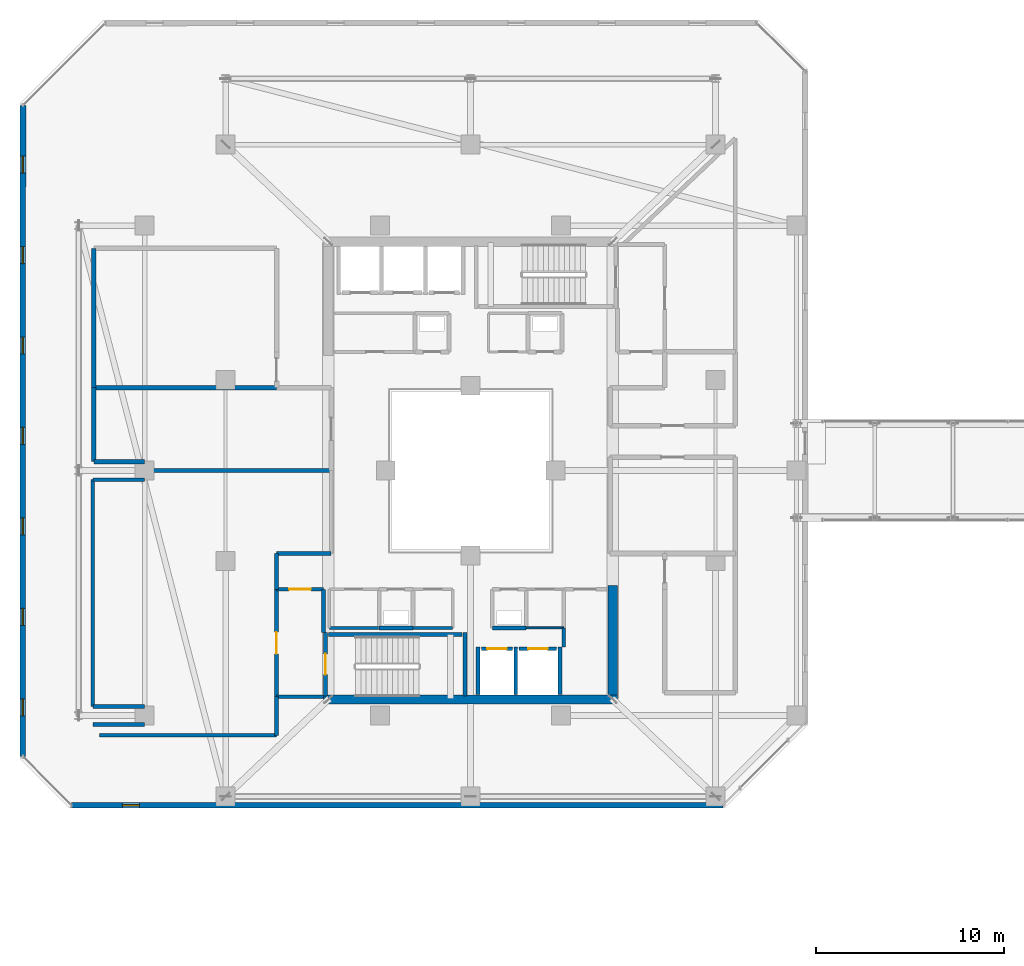
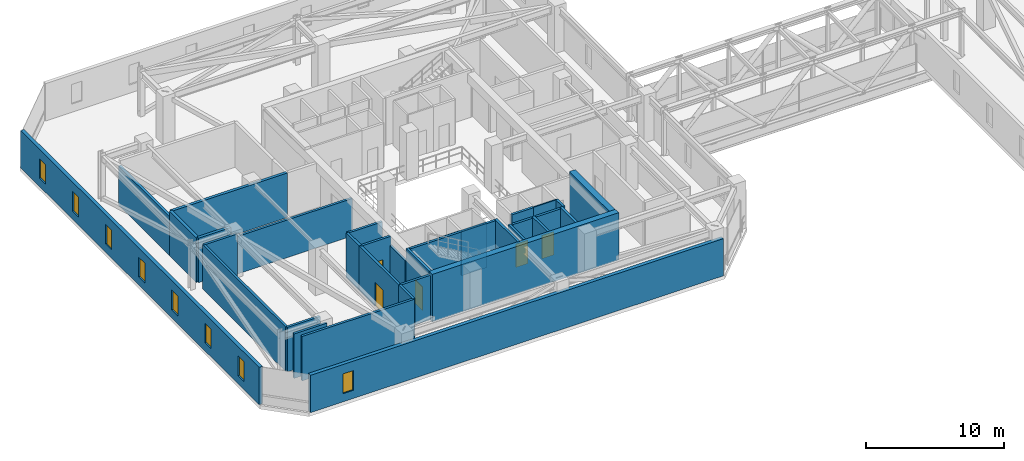
# One storey, part 33 of 42: 35 walls, 8 windows, 5 doors, 13 openings.
"""IFC4 building model written with IfcOpenShell, lengths in metres."""

import ifcopenshell
import ifcopenshell.guid

model = None  # the IFC model being written
_history = None  # IfcOwnerHistory: only IFC2X3 demands one
_inside = {}  # id of a spatial element -> (the spatial element, [elements in it])
_under = {}  # id of a project, library or spatial element -> (it, [spatial elements below it])
_declared = {}  # id of a project -> (the project, [libraries it declares])
_typed = {}  # id of a type object -> (the type object, [elements of that type])
_made_of = {}  # id of a material, layer set ... -> (it, [elements and type objects made of it])


def new_model(schema):
    """Start an empty IFC model of exactly this schema.

    Asked for "IFC4X3", IfcOpenShell would pick the latest addendum, in which some entities
    have other attributes; the version numbers below select the first issue.
    IFC2X3 requires an IfcOwnerHistory on every rooted entity: one is made here for all.
    """
    global model, _history
    if schema == "IFC4X3":
        model = ifcopenshell.file(schema_version=(4, 3, 0, 0))
    else:
        model = ifcopenshell.file(schema=schema)
    _inside.clear()
    _under.clear()
    _declared.clear()
    _typed.clear()
    _made_of.clear()
    _history = None
    if model.schema == "IFC2X3":
        org = make("IfcOrganization", Name="unknown")
        user = make(
            "IfcPersonAndOrganization",
            ThePerson=make("IfcPerson", FamilyName="unknown"),
            TheOrganization=org,
        )
        app = make(
            "IfcApplication",
            ApplicationDeveloper=org,
            Version="unknown",
            ApplicationFullName="unknown",
            ApplicationIdentifier="unknown",
        )
        _history = make(
            "IfcOwnerHistory",
            OwningUser=user,
            OwningApplication=app,
            ChangeAction="ADDED",
            CreationDate=0,
        )
    return model


def make(cls, **values):
    """One entity of the class cls with the attributes given. An attribute that is None is left unset."""
    return model.create_entity(
        cls, **{name: value for name, value in values.items() if value is not None}
    )


def rooted(cls, **values):
    """An entity with a GlobalId (a new one), such as an element, a storey or a relation."""
    return make(cls, GlobalId=ifcopenshell.guid.new(), OwnerHistory=_history, **values)


def si_unit(unit_type, name, prefix=None):
    """IfcSIUnit, for example si_unit("LENGTHUNIT", "METRE", prefix="MILLI")."""
    return make("IfcSIUnit", UnitType=unit_type, Prefix=prefix, Name=name)


def assignment(units):
    """IfcUnitAssignment: the units of a project."""
    return None if units is None else make("IfcUnitAssignment", Units=units)


def point(xyz):
    """IfcCartesianPoint."""
    return None if xyz is None else make("IfcCartesianPoint", Coordinates=xyz)


def direction(xyz):
    """IfcDirection."""
    return None if xyz is None else make("IfcDirection", DirectionRatios=xyz)


def frame(location, z_axis=None, x_axis=None):
    """IfcAxis2Placement3D, a coordinate frame: its origin and axes. An axis left out is left unset."""
    return make(
        "IfcAxis2Placement3D",
        Location=point(location),
        Axis=direction(z_axis),
        RefDirection=direction(x_axis),
    )


def frame_2d(location, x_axis=None):
    """IfcAxis2Placement2D, a coordinate frame in the plane: its origin and x axis."""
    return make(
        "IfcAxis2Placement2D", Location=point(location), RefDirection=direction(x_axis)
    )


def origin():
    """The frame at (0, 0, 0) with its axes left unset."""
    return frame((0.0, 0.0, 0.0))


def place(relative_to, where):
    """IfcLocalPlacement: puts the frame where relative to a parent placement (None: the world)."""
    return make(
        "IfcLocalPlacement", PlacementRelTo=relative_to, RelativePlacement=where
    )


def context(
    kind, dimensions, precision=None, world=None, true_north=None, identifier=None
):
    """IfcGeometricRepresentationContext, for example the 3D "Model" context."""
    return make(
        "IfcGeometricRepresentationContext",
        ContextIdentifier=identifier,
        ContextType=kind,
        CoordinateSpaceDimension=dimensions,
        Precision=precision,
        WorldCoordinateSystem=world,
        TrueNorth=true_north,
    )


def subcontext(parent, identifier, kind, view, scale=None):
    """IfcGeometricRepresentationSubContext, for example "Body" below "Model"."""
    return make(
        "IfcGeometricRepresentationSubContext",
        ContextIdentifier=identifier,
        ContextType=kind,
        ParentContext=parent,
        TargetScale=scale,
        TargetView=view,
    )


def project(units=None, contexts=None):
    """IfcProject with its units and contexts."""
    return rooted(
        "IfcProject",
        Name="project",
        RepresentationContexts=contexts,
        UnitsInContext=assignment(units),
    )


def spatial(cls, under=None, at=None, **own):
    """A site, building, storey or space (cls), placed at a placement, below another one or the project."""
    s = rooted(cls, ObjectPlacement=at, **own)
    if under is not None:
        _under.setdefault(under.id(), (under, []))[1].append(s)
    return s


def profile(cls, at=None, kind="AREA", **sizes):
    """A parametric profile (cls). Its sizes go by their IFC names, for example OverallWidth=200.0."""
    return make(cls, ProfileType=kind, Position=at, **sizes)


def rectangle(**sizes):
    """IfcRectangleProfileDef."""
    return profile("IfcRectangleProfileDef", **sizes)


def extrude(swept, where, along, depth):
    """IfcExtrudedAreaSolid: the profile swept, set in the frame where, extruded along a direction by depth."""
    return make(
        "IfcExtrudedAreaSolid",
        SweptArea=swept,
        Position=where,
        ExtrudedDirection=direction(along),
        Depth=depth,
    )


def shape(context_of_items, identifier, shape_type, items):
    """IfcShapeRepresentation: the items that make up one representation, for example the "Body"."""
    return make(
        "IfcShapeRepresentation",
        ContextOfItems=context_of_items,
        RepresentationIdentifier=identifier,
        RepresentationType=shape_type,
        Items=items,
    )


def material(Name=None, Category=None):
    """IfcMaterial."""
    return make("IfcMaterial", Name=Name, Category=Category)


def layer(
    of_material, thickness, ventilated=None, Name=None, Category=None, Priority=None
):
    """IfcMaterialLayer: one layer of a wall or slab, of a material (None: an air gap)."""
    return make(
        "IfcMaterialLayer",
        Material=of_material,
        LayerThickness=thickness,
        IsVentilated=ventilated,
        Name=Name,
        Category=Category,
        Priority=Priority,
    )


def layer_set(layers, Name=None):
    """IfcMaterialLayerSet."""
    return make("IfcMaterialLayerSet", MaterialLayers=layers, LayerSetName=Name)


def made_of(thing, what):
    """Note that an element or type object is made of a material, layer set ...; save() writes the relation."""
    if what is not None:
        _made_of.setdefault(what.id(), (what, []))[1].append(thing)
    return thing


def type_object(cls, material=None, **own):
    """A type object (cls), such as IfcWallType, which elements share."""
    return made_of(rooted(cls, **own), material)


def element(
    cls,
    number,
    at=None,
    inside=None,
    cuts=None,
    type_object=None,
    material=None,
    context=None,
    identifier="Body",
    shape_type=None,
    held_by="IfcProductDefinitionShape",
    body=None,
    shapes=None,
    **own,
):
    """One element of the class cls, such as IfcWall. Its Tag is "e" and its number.

    at: its placement. inside: the storey or other place that contains it. cuts: it is an
    opening in that element (IfcRelVoidsElement). A single representation is given by context,
    identifier, shape_type and body (its items); several are given by shapes. held_by: the class
    of the entity that holds the representations. save() writes the other relations.
    """
    e = rooted(cls, Tag="e%d" % number, ObjectPlacement=at, **own)
    if body is not None:
        shapes = [shape(context, identifier, shape_type, body)]
    if shapes is not None:
        e.Representation = make(held_by, Representations=shapes)
    if inside is not None:
        _inside.setdefault(inside.id(), (inside, []))[1].append(e)
    if cuts is not None:
        rooted(
            "IfcRelVoidsElement", RelatingBuildingElement=cuts, RelatedOpeningElement=e
        )
    if type_object is not None:
        _typed.setdefault(type_object.id(), (type_object, []))[1].append(e)
    return made_of(e, material)


def fill(opening, filler):
    """IfcRelFillsElement: the door or window that sits in an opening."""
    return rooted(
        "IfcRelFillsElement",
        RelatingOpeningElement=opening,
        RelatedBuildingElement=filler,
    )


def aggregate(whole, parts):
    """IfcRelAggregates: a whole, such as a stair, and the parts it consists of."""
    return rooted("IfcRelAggregates", RelatingObject=whole, RelatedObjects=parts)


def save(model, path):
    """Write the relations noted so far, then the file.

    IfcRelAggregates (storeys below a building ...), IfcRelContainedInSpatialStructure (elements
    in a storey), IfcRelDefinesByType, IfcRelAssociatesMaterial and IfcRelDeclares: one each for
    every whole, place, type object, material and project.
    """
    for whole, parts in _under.values():
        aggregate(whole, parts)
    for where, things in _inside.values():
        rooted(
            "IfcRelContainedInSpatialStructure",
            RelatedElements=things,
            RelatingStructure=where,
        )
    for kind, things in _typed.values():
        rooted("IfcRelDefinesByType", RelatedObjects=things, RelatingType=kind)
    for what, things in _made_of.values():
        rooted("IfcRelAssociatesMaterial", RelatedObjects=things, RelatingMaterial=what)
    for by, libraries in _declared.values():
        rooted("IfcRelDeclares", RelatingContext=by, RelatedDefinitions=libraries)
    model.write(path)


model = new_model("IFC4")

# Units and contexts
model_context = context("Model", 3, precision=1e-05, world=origin(), true_north=direction((0.0, 1.0)))
body_context = subcontext(model_context, "Body", "Model", "MODEL_VIEW")
ifc_project = project(units=[si_unit("LENGTHUNIT", "METRE"), si_unit("AREAUNIT", "SQUARE_METRE"), si_unit("VOLUMEUNIT", "CUBIC_METRE"), si_unit("PLANEANGLEUNIT", "RADIAN"), si_unit("MASSUNIT", "GRAM", prefix="KILO")], contexts=[model_context])

# Site, building, storey
site_placement = place(None, origin())
site = spatial("IfcSite", under=ifc_project, at=site_placement, CompositionType="ELEMENT")
building_placement = place(site_placement, origin())
building = spatial("IfcBuilding", under=site, at=building_placement, Name="Thornwick Lancets Civic Towers", CompositionType="ELEMENT")
storey_placement = place(building_placement, frame((0.0, 0.0, 221.699951171875)))
storey = spatial("IfcBuildingStorey", under=building, at=storey_placement, Name="L59", CompositionType="ELEMENT", Elevation=221.699951171875)

# Wall, opening, door
ifc_material_1 = material(Name="Concrete blockwork C40/50", Category="masonry")
ifc_layer_1 = layer(ifc_material_1, 0.199951171875, Name="Concrete blockwork C40/50")
ifc_layer_set_1 = layer_set([ifc_layer_1], Name="Concrete blockwork C40/50")
wall_type_1 = type_object("IfcWallType", Name="WALL_COMP_200", PredefinedType="STANDARD", material=ifc_layer_set_1)
wall_1_placement = place(storey_placement, frame((26.080078125, 17.550048828125, 0.0), z_axis=(0.0, 0.0, 1.0), x_axis=(1.0, 0.0, 0.0)))
wall_1 = element("IfcWall", 1, at=wall_1_placement, inside=storey, type_object=wall_type_1, Name="L59 Hoistway Front Wall FL-A1", PredefinedType="STANDARD", context=body_context, shape_type="SweptSolid", body=[
    extrude(rectangle(XDim=1.639892578125, YDim=0.199951171875, at=frame_2d((0.81982421875, 0.0))), origin(), (0.0, 0.0, 1.0), 3.93994140625),
])
opening_1_placement = place(wall_1_placement, frame((0.31005859375, 0.0, 0.0)))
opening_1 = element("IfcOpeningElement", 2, at=opening_1_placement, cuts=wall_1, Name="Opening LD-FL-A1", PredefinedType="OPENING", context=body_context, shape_type="SweptSolid", body=[
    extrude(rectangle(XDim=1.02001953125, YDim=2.06005859375, at=frame_2d((0.510009765625, 1.030029296875))), frame((0.0, 0.10986328125, 0.0), z_axis=(0.0, -1.0, 0.0), x_axis=(1.0, 0.0, 0.0)), (0.0, 0.0, 1.0), 0.219970703125),
])
ifc_material_2 = material(Name="Brushed bronze stainless steel", Category="steel")
door_type_1 = type_object("IfcDoorType", Name="DOOR_LIFT_SLIDE", OperationType="SLIDING_TO_LEFT", PredefinedType="DOOR", material=ifc_material_2)
door_1_placement = place(opening_1_placement, origin())
door_1 = element("IfcDoor", 3, at=door_1_placement, inside=storey, type_object=door_type_1, Name="L59 Sliding Lift Landing Door LD-FL-A1", OperationType="SLIDING_TO_LEFT", OverallHeight=2.06005859375, OverallWidth=1.02001953125, PredefinedType="DOOR", context=body_context, shape_type="SweptSolid", body=[
    extrude(rectangle(XDim=1.02001953125, YDim=2.06005859375, at=frame_2d((0.510009765625, 1.030029296875))), frame((0.0, 0.02490234375, 0.0), z_axis=(0.0, -1.0, 0.0), x_axis=(1.0, 0.0, 0.0)), (0.0, 0.0, 1.0), 0.050048828125),
])
fill(opening_1, door_1)

wall_2_placement = place(storey_placement, frame((28.080078125, 17.550048828125, 0.0), z_axis=(0.0, 0.0, 1.0), x_axis=(1.0, 0.0, 0.0)))
wall_2 = element("IfcWall", 4, at=wall_2_placement, inside=storey, type_object=wall_type_1, Name="L59 Hoistway Front Wall PL-AH1", PredefinedType="STANDARD", context=body_context, shape_type="SweptSolid", body=[
    extrude(rectangle(XDim=1.989990234375, YDim=0.199951171875, at=frame_2d((0.9951171875, 0.0))), origin(), (0.0, 0.0, 1.0), 3.93994140625),
])
opening_2_placement = place(wall_2_placement, frame((0.485107421875, 0.0, 0.0)))
opening_2 = element("IfcOpeningElement", 5, at=opening_2_placement, cuts=wall_2, Name="Opening LD-PL-AH1", PredefinedType="OPENING", context=body_context, shape_type="SweptSolid", body=[
    extrude(rectangle(XDim=1.02001953125, YDim=2.06005859375, at=frame_2d((0.510009765625, 1.030029296875))), frame((0.0, 0.10986328125, 0.0), z_axis=(0.0, -1.0, 0.0), x_axis=(1.0, 0.0, 0.0)), (0.0, 0.0, 1.0), 0.219970703125),
])
door_2_placement = place(opening_2_placement, origin())
door_2 = element("IfcDoor", 6, at=door_2_placement, inside=storey, type_object=door_type_1, Name="L59 Sliding Lift Landing Door LD-PL-AH1", OperationType="SLIDING_TO_LEFT", OverallHeight=2.06005859375, OverallWidth=1.02001953125, PredefinedType="DOOR", context=body_context, shape_type="SweptSolid", body=[
    extrude(rectangle(XDim=1.02001953125, YDim=2.06005859375, at=frame_2d((0.510009765625, 1.030029296875))), frame((0.0, 0.02490234375, 0.0), z_axis=(0.0, -1.0, 0.0), x_axis=(1.0, 0.0, 0.0)), (0.0, 0.0, 1.0), 0.050048828125),
])
fill(opening_2, door_2)

# Walls
for number, where, z_axis, x_axis, name in (
    (7, (27.89990234375, 15.112060546875, 0.0), (0.0, 0.0, 1.0), (0.0, 1.0, 0.0), "L59 Hoistway Shaft Wall FL-A1 E"),
    (8, (25.89990234375, 15.112060546875, 0.0), (0.0, 0.0, 1.0), (0.0, 1.0, 0.0), "L59 Hoistway Shaft Wall FL-A1 W"),
    (9, (30.25, 15.112060546875, 0.0), (0.0, 0.0, 1.0), (0.0, 1.0, 0.0), "L59 Hoistway Shaft Wall PL-AH1 E"),
):
    element("IfcWall", number, at=place(storey_placement, frame(where, z_axis=z_axis, x_axis=x_axis)), inside=storey, type_object=wall_type_1, Name=name, PredefinedType="STANDARD", context=body_context, shape_type="SweptSolid", body=[
        extrude(rectangle(XDim=2.535888671875, YDim=0.199951171875, at=frame_2d((1.26806640625, 0.0))), origin(), (0.0, 0.0, 1.0), 3.93994140625),
    ])
wall_3_placement = place(storey_placement, frame((15.199951171875, 15.0, 0.0), z_axis=(0.0, 0.0, 1.0), x_axis=(1.0, 0.0, 0.0)))
element("IfcWall", 10, at=wall_3_placement, inside=storey, type_object=wall_type_1, Name="L59 Partition L59-A-FFLOB1 E1", PredefinedType="STANDARD", context=body_context, shape_type="SweptSolid", body=[
    extrude(rectangle(XDim=2.5, YDim=0.199951171875, at=frame_2d((1.25, 0.0))), origin(), (0.0, 0.0, 1.0), 3.93994140625),
])
wall_4_placement = place(storey_placement, frame((17.699951171875, 18.39990234375, 0.0), z_axis=(0.0, 0.0, 1.0), x_axis=(0.0, 1.0, 0.0)))
element("IfcWall", 11, at=wall_4_placement, inside=storey, type_object=wall_type_1, Name="L59 Partition L59-A-FFLOB1 E2", PredefinedType="STANDARD", context=body_context, shape_type="SweptSolid", body=[
    extrude(rectangle(XDim=2.300048828125, YDim=0.199951171875, at=frame_2d((1.14990234375, 0.0))), origin(), (0.0, 0.0, 1.0), 3.14501953125),
])

# Wall, opening, door
wall_5_placement = place(storey_placement, frame((17.699951171875, 20.699951171875, 0.0), z_axis=(0.0, 0.0, 1.0), x_axis=(-1.0, 0.0, 0.0)))
wall_5 = element("IfcWall", 12, at=wall_5_placement, inside=storey, type_object=wall_type_1, Name="L59 Partition L59-A-FFLOB1 E3", PredefinedType="STANDARD", context=body_context, shape_type="SweptSolid", body=[
    extrude(rectangle(XDim=2.5, YDim=0.199951171875, at=frame_2d((1.25, 0.0))), origin(), (0.0, 0.0, 1.0), 3.93994140625),
])
opening_3_placement = place(wall_5_placement, frame((0.675048828125, 0.0, 0.0)))
opening_3 = element("IfcOpeningElement", 13, at=opening_3_placement, cuts=wall_5, Name="Opening D-L59-2639", PredefinedType="OPENING", context=body_context, shape_type="SweptSolid", body=[
    extrude(rectangle(XDim=1.14990234375, YDim=2.10009765625, at=frame_2d((0.574951171875, 1.050048828125))), frame((0.0, 0.10986328125, 0.0), z_axis=(0.0, -1.0, 0.0), x_axis=(1.0, 0.0, 0.0)), (0.0, 0.0, 1.0), 0.219970703125),
])
ifc_material_3 = material(Name="Glazed fire-resisting steel", Category="steel")
door_type_2 = type_object("IfcDoorType", Name="DOOR_LOBBY_FD60", OperationType="NOTDEFINED", PredefinedType="DOOR", material=ifc_material_3)
door_3_placement = place(opening_3_placement, origin())
door_3 = element("IfcDoor", 14, at=door_3_placement, inside=storey, type_object=door_type_2, Name="L59 South Firefighting Lobby 1 Door", OperationType="SINGLE_SWING_RIGHT", OverallHeight=2.10009765625, OverallWidth=1.14990234375, PredefinedType="DOOR", context=body_context, shape_type="SweptSolid", body=[
    extrude(rectangle(XDim=1.14990234375, YDim=2.10009765625, at=frame_2d((0.574951171875, 1.050048828125))), frame((0.0, 0.02490234375, 0.0), z_axis=(0.0, -1.0, 0.0), x_axis=(1.0, 0.0, 0.0)), (0.0, 0.0, 1.0), 0.050048828125),
])
fill(opening_3, door_3)

wall_6_placement = place(storey_placement, frame((15.199951171875, 20.699951171875, 0.0), z_axis=(0.0, 0.0, 1.0), x_axis=(0.0, -1.0, 0.0)))
wall_6 = element("IfcWall", 15, at=wall_6_placement, inside=storey, type_object=wall_type_1, Name="L59 Partition L59-A-FFLOB1 E4", PredefinedType="STANDARD", context=body_context, shape_type="SweptSolid", body=[
    extrude(rectangle(XDim=5.699951171875, YDim=0.199951171875, at=frame_2d((2.85009765625, 0.0))), origin(), (0.0, 0.0, 1.0), 3.93994140625),
])
opening_4_placement = place(wall_6_placement, frame((2.27490234375, 0.0, 0.0)))
opening_4 = element("IfcOpeningElement", 16, at=opening_4_placement, cuts=wall_6, Name="Opening D-L59-2665", PredefinedType="OPENING", context=body_context, shape_type="SweptSolid", body=[
    extrude(rectangle(XDim=1.14990234375, YDim=2.10009765625, at=frame_2d((0.574951171875, 1.050048828125))), frame((0.0, 0.10986328125, 0.0), z_axis=(0.0, -1.0, 0.0), x_axis=(1.0, 0.0, 0.0)), (0.0, 0.0, 1.0), 0.219970703125),
])
door_4_placement = place(opening_4_placement, origin())
door_4 = element("IfcDoor", 17, at=door_4_placement, inside=storey, type_object=door_type_2, Name="L59 Tower A Refuge Holding Area 1 Door", OperationType="SINGLE_SWING_RIGHT", OverallHeight=2.10009765625, OverallWidth=1.14990234375, PredefinedType="DOOR", context=body_context, shape_type="SweptSolid", body=[
    extrude(rectangle(XDim=1.14990234375, YDim=2.10009765625, at=frame_2d((0.574951171875, 1.050048828125))), frame((0.0, 0.02490234375, 0.0), z_axis=(0.0, -1.0, 0.0), x_axis=(1.0, 0.0, 0.0)), (0.0, 0.0, 1.0), 0.050048828125),
])
fill(opening_4, door_4)

# Walls
for number, where, z_axis, x_axis, name in (
    (18, (26.64990234375, 18.64990234375, 0.0), (0.0, 0.0, 1.0), (1.0, 0.0, 0.0), "L59 Partition L59-A-DUCT1 E1"),
    (19, (20.64990234375, 18.64990234375, 0.0), (0.0, 0.0, 1.0), (1.0, 0.0, 0.0), "L59 Partition L59-A-RISER1 E1"),
):
    element("IfcWall", number, at=place(storey_placement, frame(where, z_axis=z_axis, x_axis=x_axis)), inside=storey, type_object=wall_type_1, Name=name, PredefinedType="STANDARD", context=body_context, shape_type="SweptSolid", body=[
        extrude(rectangle(XDim=1.800048828125, YDim=0.199951171875, at=frame_2d((0.89990234375, 0.0))), origin(), (0.0, 0.0, 1.0), 3.93994140625),
    ])
wall_7_placement = place(storey_placement, frame((30.449951171875, 17.64794921875, 0.0), z_axis=(0.0, 0.0, 1.0), x_axis=(0.0, 1.0, 0.0)))
element("IfcWall", 20, at=wall_7_placement, inside=storey, type_object=wall_type_1, Name="L59 Partition L59-A-ITR2 E3", PredefinedType="STANDARD", context=body_context, shape_type="SweptSolid", body=[
    extrude(rectangle(XDim=1.001953125, YDim=0.199951171875, at=frame_2d((0.5009765625, 0.0))), origin(), (0.0, 0.0, 1.0), 3.93994140625),
])
wall_8_placement = place(storey_placement, frame((18.10009765625, 22.60009765625, 0.0), z_axis=(0.0, 0.0, 1.0), x_axis=(-1.0, 0.0, 0.0)))
element("IfcWall", 21, at=wall_8_placement, inside=storey, type_object=wall_type_1, Name="L59 Partition L59-A-REF1 E1", PredefinedType="STANDARD", context=body_context, shape_type="SweptSolid", body=[
    extrude(rectangle(XDim=2.900146484375, YDim=0.199951171875, at=frame_2d((1.4501953125, 0.0))), origin(), (0.0, 0.0, 1.0), 3.93994140625),
])
wall_9_placement = place(storey_placement, frame((15.199951171875, 22.60009765625, 0.0), z_axis=(0.0, 0.0, 1.0), x_axis=(0.0, -1.0, 0.0)))
element("IfcWall", 22, at=wall_9_placement, inside=storey, type_object=wall_type_1, Name="L59 Partition L59-A-REF1 E2", PredefinedType="STANDARD", context=body_context, shape_type="SweptSolid", body=[
    extrude(rectangle(XDim=1.900146484375, YDim=0.199951171875, at=frame_2d((0.9501953125, 0.0))), origin(), (0.0, 0.0, 1.0), 3.93994140625),
])
wall_10_placement = place(storey_placement, frame((15.199951171875, 15.0, 0.0), z_axis=(0.0, 0.0, 1.0), x_axis=(0.0, -1.0, 0.0)))
element("IfcWall", 23, at=wall_10_placement, inside=storey, type_object=wall_type_1, Name="L59 Partition L59-A-REF1 E4", PredefinedType="STANDARD", context=body_context, shape_type="SweptSolid", body=[
    extrude(rectangle(XDim=2.050048828125, YDim=0.199951171875, at=frame_2d((1.02490234375, 0.0))), origin(), (0.0, 0.0, 1.0), 3.93994140625),
])
wall_11_placement = place(storey_placement, frame((15.199951171875, 12.949951171875, 0.0), z_axis=(0.0, 0.0, 1.0), x_axis=(-1.0, 0.0, 0.0)))
element("IfcWall", 24, at=wall_11_placement, inside=storey, type_object=wall_type_1, Name="L59 Partition L59-A-REF1 E5", PredefinedType="STANDARD", context=body_context, shape_type="SweptSolid", body=[
    extrude(rectangle(XDim=9.4052734375, YDim=0.199951171875, at=frame_2d((4.70263671875, 0.0))), origin(), (0.0, 0.0, 1.0), 3.93994140625),
])
for number, where, z_axis, x_axis, name in (
    (25, (5.449951171875, 13.52001953125, 0.0), (0.0, 0.0, 1.0), (1.0, 0.0, 0.0), "L59 Partition L59-A-REF1 E8"),
    (26, (8.199951171875, 14.47998046875, 0.0), (0.0, 0.0, 1.0), (-1.0, 0.0, 0.0), "L59 Partition L59-A-REF1 E10"),
):
    element("IfcWall", number, at=place(storey_placement, frame(where, z_axis=z_axis, x_axis=x_axis)), inside=storey, type_object=wall_type_1, Name=name, PredefinedType="STANDARD", context=body_context, shape_type="SweptSolid", body=[
        extrude(rectangle(XDim=2.75, YDim=0.199951171875, at=frame_2d((1.375, 0.0))), origin(), (0.0, 0.0, 1.0), 3.93994140625),
    ])
wall_12_placement = place(storey_placement, frame((5.449951171875, 14.47998046875, 0.0), z_axis=(0.0, 0.0, 1.0), x_axis=(0.0, 1.0, 0.0)))
element("IfcWall", 27, at=wall_12_placement, inside=storey, type_object=wall_type_1, Name="L59 Partition L59-A-REF1 E11", PredefinedType="STANDARD", context=body_context, shape_type="SweptSolid", body=[
    extrude(rectangle(XDim=12.0400390625, YDim=0.199951171875, at=frame_2d((6.02001953125, 0.0))), origin(), (0.0, 0.0, 1.0), 3.93994140625),
])
wall_13_placement = place(storey_placement, frame((5.449951171875, 26.52001953125, 0.0), z_axis=(0.0, 0.0, 1.0), x_axis=(1.0, 0.0, 0.0)))
element("IfcWall", 28, at=wall_13_placement, inside=storey, type_object=wall_type_1, Name="L59 Partition L59-A-REF1 E12", PredefinedType="STANDARD", context=body_context, shape_type="SweptSolid", body=[
    extrude(rectangle(XDim=2.75, YDim=0.199951171875, at=frame_2d((1.375, 0.0))), origin(), (0.0, 0.0, 1.0), 3.93994140625),
])
wall_14_placement = place(storey_placement, frame((8.199951171875, 27.0, 0.0), z_axis=(0.0, 0.0, 1.0), x_axis=(1.0, 0.0, 0.0)))
element("IfcWall", 29, at=wall_14_placement, inside=storey, type_object=wall_type_1, Name="L59 Partition L59-A-REF1 E14", PredefinedType="STANDARD", context=body_context, shape_type="SweptSolid", body=[
    extrude(rectangle(XDim=9.900146484375, YDim=0.199951171875, at=frame_2d((4.9501953125, 0.0))), origin(), (0.0, 0.0, 1.0), 3.324951171875),
])
ifc_layer_2 = layer(ifc_material_1, 0.239990234375, Name="Concrete blockwork C40/50")
ifc_layer_set_2 = layer_set([ifc_layer_2], Name="Concrete blockwork C40/50")
wall_type_2 = type_object("IfcWallType", Name="WALL_COMP_240", PredefinedType="STANDARD", material=ifc_layer_set_2)
wall_15_placement = place(storey_placement, frame((8.199951171875, 27.47998046875, 0.0), z_axis=(0.0, 0.0, 1.0), x_axis=(-1.0, 0.0, 0.0)))
element("IfcWall", 30, at=wall_15_placement, inside=storey, type_object=wall_type_2, Name="L59 Partition L59-A-PL-AHU E5", PredefinedType="STANDARD", context=body_context, shape_type="SweptSolid", body=[
    extrude(rectangle(XDim=2.699951171875, YDim=0.239990234375, at=frame_2d((1.35009765625, 0.0))), origin(), (0.0, 0.0, 1.0), 3.93994140625),
])
wall_16_placement = place(storey_placement, frame((5.5, 27.47998046875, 0.0), z_axis=(0.0, 0.0, 1.0), x_axis=(0.0, 1.0, 0.0)))
element("IfcWall", 31, at=wall_16_placement, inside=storey, type_object=wall_type_2, Name="L59 Partition L59-A-PL-AHU E6", PredefinedType="STANDARD", context=body_context, shape_type="SweptSolid", body=[
    extrude(rectangle(XDim=3.919921875, YDim=0.239990234375, at=frame_2d((1.9599609375, 0.0))), origin(), (0.0, 0.0, 1.0), 3.93994140625),
])
wall_17_placement = place(storey_placement, frame((5.5, 31.39990234375, 0.0), z_axis=(0.0, 0.0, 1.0), x_axis=(1.0, 0.0, 0.0)))
element("IfcWall", 32, at=wall_17_placement, inside=storey, type_object=wall_type_2, Name="L59 Partition L59-A-PL-AHU E7", PredefinedType="STANDARD", context=body_context, shape_type="SweptSolid", body=[
    extrude(rectangle(XDim=9.699951171875, YDim=0.239990234375, at=frame_2d((4.85009765625, 0.0))), origin(), (0.0, 0.0, 1.0), 3.93994140625),
])
wall_18_placement = place(storey_placement, frame((5.5, 31.39990234375, 0.0), z_axis=(0.0, 0.0, 1.0), x_axis=(0.0, 1.0, 0.0)))
element("IfcWall", 33, at=wall_18_placement, inside=storey, type_object=wall_type_2, Name="L59 Partition L59-A-PL-ELC E5", PredefinedType="STANDARD", context=body_context, shape_type="SweptSolid", body=[
    extrude(rectangle(XDim=7.400146484375, YDim=0.239990234375, at=frame_2d((3.7001953125, 0.0))), origin(), (0.0, 0.0, 1.0), 3.445068359375),
])
ifc_material_4 = material(Name="Concrete C50/60", Category="concrete")
ifc_layer_3 = layer(ifc_material_4, 0.5, Name="Concrete C50/60")
ifc_layer_set_3 = layer_set([ifc_layer_3], Name="Concrete C50/60")
wall_type_3 = type_object("IfcWallType", Name="WALL_CORE_500", PredefinedType="SHEAR", material=ifc_layer_set_3)
wall_19_placement = place(storey_placement, frame((17.699951171875, 14.85009765625, 0.0), z_axis=(0.0, 0.0, 1.0), x_axis=(1.0, 0.0, 0.0)))
element("IfcWall", 34, at=wall_19_placement, inside=storey, type_object=wall_type_3, Name="L59 Split Core A1 Shear Wall S", PredefinedType="SHEAR", context=body_context, shape_type="SweptSolid", body=[
    extrude(rectangle(XDim=15.60009765625, YDim=0.5, at=frame_2d((7.800048828125, 0.0))), origin(), (0.0, 0.0, 1.0), 4.199951171875),
])
wall_20_placement = place(storey_placement, frame((33.050048828125, 15.10009765625, 0.0), z_axis=(0.0, 0.0, 1.0), x_axis=(0.0, 1.0, 0.0)))
element("IfcWall", 35, at=wall_20_placement, inside=storey, type_object=wall_type_3, Name="L59 Split Core A1 Shear Wall E", PredefinedType="SHEAR", context=body_context, shape_type="SweptSolid", body=[
    extrude(rectangle(XDim=5.7998046875, YDim=0.5, at=frame_2d((2.89990234375, 0.0))), origin(), (0.0, 0.0, 1.0), 4.199951171875),
])

# Wall, opening, window
ifc_material_5 = material(Name="Insulated russet terracotta rainscreen on concrete C40/50", Category="masonry")
ifc_layer_4 = layer(ifc_material_5, 0.300048828125, Name="Insulated russet terracotta rainscreen on concrete C40/50")
ifc_layer_set_4 = layer_set([ifc_layer_4], Name="Insulated russet terracotta rainscreen on concrete C40/50")
wall_type_4 = type_object("IfcWallType", Name="WALL_EXT_RUSSET_300", PredefinedType="STANDARD", material=ifc_layer_set_4)
wall_21_placement = place(storey_placement, frame((4.318603515625, 9.2353515625, 0.0), z_axis=(0.0, 0.0, 1.0), x_axis=(0.999999985636, 0.000169493917, 0.0)))
wall_21 = element("IfcWall", 36, at=wall_21_placement, inside=storey, type_object=wall_type_4, Name="L59 Tower A Terracotta Facade Wall E0", PredefinedType="STANDARD", context=body_context, shape_type="SweptSolid", body=[
    extrude(rectangle(XDim=34.56982421875, YDim=0.300048828125, at=frame_2d((17.284912109375, 0.0))), origin(), (0.0, 0.0, 1.0), 3.300048828125),
])
opening_5_placement = place(wall_21_placement, frame((2.699951171875, 0.0, 0.719970703125)))
opening_5 = element("IfcOpeningElement", 37, at=opening_5_placement, cuts=wall_21, Name="Opening WL-01", PredefinedType="OPENING", context=body_context, shape_type="SweptSolid", body=[
    extrude(rectangle(XDim=0.89990234375, YDim=1.75, at=frame_2d((0.449951171875, 0.875))), frame((0.0, 0.16015625, 0.0), z_axis=(0.0, -1.0, 0.0), x_axis=(1.0, 0.0, 0.0)), (0.0, 0.0, 1.0), 0.320068359375),
])
ifc_material_6 = material(Name="Clear low-e double glazing in bronze frame", Category="glass")
window_type = type_object("IfcWindowType", Name="WIN_LANCET_900", PartitioningType="SINGLE_PANEL", PredefinedType="WINDOW", material=ifc_material_6)
window_1_placement = place(opening_5_placement, origin())
window_1 = element("IfcWindow", 38, at=window_1_placement, inside=storey, type_object=window_type, Name="L59 Tower A Staggered Lancet Window E0-1", OverallHeight=1.75, OverallWidth=0.89990234375, PartitioningType="SINGLE_PANEL", PredefinedType="WINDOW", context=body_context, shape_type="SweptSolid", body=[
    extrude(rectangle(XDim=0.89990234375, YDim=1.75, at=frame_2d((0.449951171875, 0.875))), frame((0.0, 0.030029296875, 0.0), z_axis=(0.0, -1.0, 0.0), x_axis=(1.0, 0.0, 0.0)), (0.0, 0.0, 1.0), 0.06005859375),
])
fill(opening_5, window_1)

# Wall, openings, windows
wall_22_placement = place(storey_placement, frame((1.7412109375, 46.388427734375, 0.0), z_axis=(0.0, 0.0, 1.0), x_axis=(-0.000169493917, -0.999999985636, 0.0)))
wall_22 = element("IfcWall", 39, at=wall_22_placement, inside=storey, type_object=wall_type_4, Name="L59 Tower A Terracotta Facade Wall E6", PredefinedType="STANDARD", context=body_context, shape_type="SweptSolid", body=[
    extrude(rectangle(XDim=34.56982421875, YDim=0.300048828125, at=frame_2d((17.284912109375, 0.0))), origin(), (0.0, 0.0, 1.0), 3.300048828125),
])
opening_6_placement = place(wall_22_placement, frame((2.699951171875, 0.0, 0.719970703125)))
opening_6 = element("IfcOpeningElement", 40, at=opening_6_placement, cuts=wall_22, Name="Opening WL-01", PredefinedType="OPENING", context=body_context, shape_type="SweptSolid", body=[
    extrude(rectangle(XDim=0.89990234375, YDim=1.75, at=frame_2d((0.449951171875, 0.875))), frame((0.0, 0.16015625, 0.0), z_axis=(0.0, -1.0, 0.0), x_axis=(1.0, 0.0, 0.0)), (0.0, 0.0, 1.0), 0.320068359375),
])
opening_7_placement = place(wall_22_placement, frame((7.5, 0.0, 0.719970703125)))
opening_7 = element("IfcOpeningElement", 41, at=opening_7_placement, cuts=wall_22, Name="Opening WL-01", PredefinedType="OPENING", context=body_context, shape_type="SweptSolid", body=[
    extrude(rectangle(XDim=0.89990234375, YDim=1.75, at=frame_2d((0.449951171875, 0.875))), frame((0.0, 0.16015625, 0.0), z_axis=(0.0, -1.0, 0.0), x_axis=(1.0, 0.0, 0.0)), (0.0, 0.0, 1.0), 0.320068359375),
])
opening_8_placement = place(wall_22_placement, frame((12.300048828125, 0.0, 0.719970703125)))
opening_8 = element("IfcOpeningElement", 42, at=opening_8_placement, cuts=wall_22, Name="Opening WL-01", PredefinedType="OPENING", context=body_context, shape_type="SweptSolid", body=[
    extrude(rectangle(XDim=0.89990234375, YDim=1.75, at=frame_2d((0.449951171875, 0.875))), frame((0.0, 0.16015625, 0.0), z_axis=(0.0, -1.0, 0.0), x_axis=(1.0, 0.0, 0.0)), (0.0, 0.0, 1.0), 0.320068359375),
])
opening_9_placement = place(wall_22_placement, frame((17.10009765625, 0.0, 0.719970703125)))
opening_9 = element("IfcOpeningElement", 43, at=opening_9_placement, cuts=wall_22, Name="Opening WL-01", PredefinedType="OPENING", context=body_context, shape_type="SweptSolid", body=[
    extrude(rectangle(XDim=0.89990234375, YDim=1.75, at=frame_2d((0.449951171875, 0.875))), frame((0.0, 0.16015625, 0.0), z_axis=(0.0, -1.0, 0.0), x_axis=(1.0, 0.0, 0.0)), (0.0, 0.0, 1.0), 0.320068359375),
])
opening_10_placement = place(wall_22_placement, frame((21.89990234375, 0.0, 0.719970703125)))
opening_10 = element("IfcOpeningElement", 44, at=opening_10_placement, cuts=wall_22, Name="Opening WL-01", PredefinedType="OPENING", context=body_context, shape_type="SweptSolid", body=[
    extrude(rectangle(XDim=0.89990234375, YDim=1.75, at=frame_2d((0.449951171875, 0.875))), frame((0.0, 0.16015625, 0.0), z_axis=(0.0, -1.0, 0.0), x_axis=(1.0, 0.0, 0.0)), (0.0, 0.0, 1.0), 0.320068359375),
])
opening_11_placement = place(wall_22_placement, frame((26.699951171875, 0.0, 0.719970703125)))
opening_11 = element("IfcOpeningElement", 45, at=opening_11_placement, cuts=wall_22, Name="Opening WL-01", PredefinedType="OPENING", context=body_context, shape_type="SweptSolid", body=[
    extrude(rectangle(XDim=0.89990234375, YDim=1.75, at=frame_2d((0.449951171875, 0.875))), frame((0.0, 0.16015625, 0.0), z_axis=(0.0, -1.0, 0.0), x_axis=(1.0, 0.0, 0.0)), (0.0, 0.0, 1.0), 0.320068359375),
])
opening_12_placement = place(wall_22_placement, frame((31.5, 0.0, 0.719970703125)))
opening_12 = element("IfcOpeningElement", 46, at=opening_12_placement, cuts=wall_22, Name="Opening WL-01", PredefinedType="OPENING", context=body_context, shape_type="SweptSolid", body=[
    extrude(rectangle(XDim=0.89990234375, YDim=1.75, at=frame_2d((0.449951171875, 0.875))), frame((0.0, 0.16015625, 0.0), z_axis=(0.0, -1.0, 0.0), x_axis=(1.0, 0.0, 0.0)), (0.0, 0.0, 1.0), 0.320068359375),
])
window_2_placement = place(opening_6_placement, origin())
window_2 = element("IfcWindow", 47, at=window_2_placement, inside=storey, type_object=window_type, Name="L59 Tower A Staggered Lancet Window E6-1", OverallHeight=1.75, OverallWidth=0.89990234375, PartitioningType="SINGLE_PANEL", PredefinedType="WINDOW", context=body_context, shape_type="SweptSolid", body=[
    extrude(rectangle(XDim=0.89990234375, YDim=1.75, at=frame_2d((0.449951171875, 0.875))), frame((0.0, 0.030029296875, 0.0), z_axis=(0.0, -1.0, 0.0), x_axis=(1.0, 0.0, 0.0)), (0.0, 0.0, 1.0), 0.06005859375),
])
fill(opening_6, window_2)
window_3_placement = place(opening_7_placement, origin())
window_3 = element("IfcWindow", 48, at=window_3_placement, inside=storey, type_object=window_type, Name="L59 Tower A Staggered Lancet Window E6-2", OverallHeight=1.75, OverallWidth=0.89990234375, PartitioningType="SINGLE_PANEL", PredefinedType="WINDOW", context=body_context, shape_type="SweptSolid", body=[
    extrude(rectangle(XDim=0.89990234375, YDim=1.75, at=frame_2d((0.449951171875, 0.875))), frame((0.0, 0.030029296875, 0.0), z_axis=(0.0, -1.0, 0.0), x_axis=(1.0, 0.0, 0.0)), (0.0, 0.0, 1.0), 0.06005859375),
])
fill(opening_7, window_3)
window_4_placement = place(opening_8_placement, origin())
window_4 = element("IfcWindow", 49, at=window_4_placement, inside=storey, type_object=window_type, Name="L59 Tower A Staggered Lancet Window E6-3", OverallHeight=1.75, OverallWidth=0.89990234375, PartitioningType="SINGLE_PANEL", PredefinedType="WINDOW", context=body_context, shape_type="SweptSolid", body=[
    extrude(rectangle(XDim=0.89990234375, YDim=1.75, at=frame_2d((0.449951171875, 0.875))), frame((0.0, 0.030029296875, 0.0), z_axis=(0.0, -1.0, 0.0), x_axis=(1.0, 0.0, 0.0)), (0.0, 0.0, 1.0), 0.06005859375),
])
fill(opening_8, window_4)
window_5_placement = place(opening_9_placement, origin())
window_5 = element("IfcWindow", 50, at=window_5_placement, inside=storey, type_object=window_type, Name="L59 Tower A Staggered Lancet Window E6-4", OverallHeight=1.75, OverallWidth=0.89990234375, PartitioningType="SINGLE_PANEL", PredefinedType="WINDOW", context=body_context, shape_type="SweptSolid", body=[
    extrude(rectangle(XDim=0.89990234375, YDim=1.75, at=frame_2d((0.449951171875, 0.875))), frame((0.0, 0.030029296875, 0.0), z_axis=(0.0, -1.0, 0.0), x_axis=(1.0, 0.0, 0.0)), (0.0, 0.0, 1.0), 0.06005859375),
])
fill(opening_9, window_5)
window_6_placement = place(opening_10_placement, origin())
window_6 = element("IfcWindow", 51, at=window_6_placement, inside=storey, type_object=window_type, Name="L59 Tower A Staggered Lancet Window E6-5", OverallHeight=1.75, OverallWidth=0.89990234375, PartitioningType="SINGLE_PANEL", PredefinedType="WINDOW", context=body_context, shape_type="SweptSolid", body=[
    extrude(rectangle(XDim=0.89990234375, YDim=1.75, at=frame_2d((0.449951171875, 0.875))), frame((0.0, 0.030029296875, 0.0), z_axis=(0.0, -1.0, 0.0), x_axis=(1.0, 0.0, 0.0)), (0.0, 0.0, 1.0), 0.06005859375),
])
fill(opening_10, window_6)
window_7_placement = place(opening_11_placement, origin())
window_7 = element("IfcWindow", 52, at=window_7_placement, inside=storey, type_object=window_type, Name="L59 Tower A Staggered Lancet Window E6-6", OverallHeight=1.75, OverallWidth=0.89990234375, PartitioningType="SINGLE_PANEL", PredefinedType="WINDOW", context=body_context, shape_type="SweptSolid", body=[
    extrude(rectangle(XDim=0.89990234375, YDim=1.75, at=frame_2d((0.449951171875, 0.875))), frame((0.0, 0.030029296875, 0.0), z_axis=(0.0, -1.0, 0.0), x_axis=(1.0, 0.0, 0.0)), (0.0, 0.0, 1.0), 0.06005859375),
])
fill(opening_11, window_7)
window_8_placement = place(opening_12_placement, origin())
window_8 = element("IfcWindow", 53, at=window_8_placement, inside=storey, type_object=window_type, Name="L59 Tower A Staggered Lancet Window E6-7", OverallHeight=1.75, OverallWidth=0.89990234375, PartitioningType="SINGLE_PANEL", PredefinedType="WINDOW", context=body_context, shape_type="SweptSolid", body=[
    extrude(rectangle(XDim=0.89990234375, YDim=1.75, at=frame_2d((0.449951171875, 0.875))), frame((0.0, 0.030029296875, 0.0), z_axis=(0.0, -1.0, 0.0), x_axis=(1.0, 0.0, 0.0)), (0.0, 0.0, 1.0), 0.06005859375),
])
fill(opening_12, window_8)

# Walls
ifc_material_7 = material(Name="Lightweight cellular office partition")
ifc_layer_5 = layer(ifc_material_7, 0.10009765625, Name="Lightweight cellular office partition")
ifc_layer_set_5 = layer_set([ifc_layer_5], Name="Lightweight cellular office partition")
wall_type_5 = type_object("IfcWallType", Name="WALL_PART_100", PredefinedType="PARTITIONING", material=ifc_layer_set_5)
wall_23_placement = place(storey_placement, frame((30.449951171875, 18.64990234375, 0.0), z_axis=(0.0, 0.0, 1.0), x_axis=(-1.0, 0.0, 0.0)))
element("IfcWall", 54, at=wall_23_placement, inside=storey, type_object=wall_type_5, Name="L59 Partition L59-A-CLN E2", PredefinedType="PARTITIONING", context=body_context, shape_type="SweptSolid", body=[
    extrude(rectangle(XDim=2.0, YDim=0.10009765625, at=frame_2d((1.0, 0.0))), origin(), (0.0, 0.0, 1.0), 3.93994140625),
])
ifc_material_8 = material(Name="Twin-stud acoustic gypsum board")
ifc_layer_6 = layer(ifc_material_8, 0.14990234375, Name="Twin-stud acoustic gypsum board")
ifc_layer_set_6 = layer_set([ifc_layer_6], Name="Twin-stud acoustic gypsum board")
wall_type_6 = type_object("IfcWallType", Name="WALL_PART_150", PredefinedType="PARTITIONING", material=ifc_layer_set_6)
wall_24_placement = place(storey_placement, frame((18.0, 18.64990234375, 0.0), z_axis=(0.0, 0.0, 1.0), x_axis=(1.0, 0.0, 0.0)))
element("IfcWall", 55, at=wall_24_placement, inside=storey, type_object=wall_type_6, Name="L59 Partition L59-A-MWC E1", PredefinedType="PARTITIONING", context=body_context, shape_type="SweptSolid", body=[
    extrude(rectangle(XDim=2.60009765625, YDim=0.14990234375, at=frame_2d((1.300048828125, 0.0))), origin(), (0.0, 0.0, 1.0), 3.93994140625),
])
wall_25_placement = place(storey_placement, frame((24.550048828125, 18.64990234375, 0.0), z_axis=(0.0, 0.0, 1.0), x_axis=(-1.0, 0.0, 0.0)))
element("IfcWall", 56, at=wall_25_placement, inside=storey, type_object=wall_type_6, Name="L59 Partition L59-A-AWC E2", PredefinedType="PARTITIONING", context=body_context, shape_type="SweptSolid", body=[
    extrude(rectangle(XDim=2.10009765625, YDim=0.14990234375, at=frame_2d((1.050048828125, 0.0))), origin(), (0.0, 0.0, 1.0), 3.93994140625),
])

# Wall, opening, door
ifc_material_9 = material(Name="Concrete C40/50", Category="concrete")
ifc_layer_7 = layer(ifc_material_9, 0.199951171875, Name="Concrete C40/50")
ifc_layer_set_7 = layer_set([ifc_layer_7], Name="Concrete C40/50")
wall_type_7 = type_object("IfcWallType", Name="WALL_SHAFT_200", PredefinedType="SHEAR", material=ifc_layer_set_7)
wall_26_placement = place(storey_placement, frame((17.800048828125, 15.050048828125, 0.0), z_axis=(0.0, 0.0, 1.0), x_axis=(0.0, 1.0, 0.0)))
wall_26 = element("IfcWall", 57, at=wall_26_placement, inside=storey, type_object=wall_type_7, Name="L59 ST-A1 Fire Stair Core Wall NEAR", PredefinedType="SHEAR", context=body_context, shape_type="SweptSolid", body=[
    extrude(rectangle(XDim=3.349853515625, YDim=0.199951171875, at=frame_2d((1.6748046875, 0.0))), origin(), (0.0, 0.0, 1.0), 4.199951171875),
])
opening_13_placement = place(wall_26_placement, frame((1.125, 0.0, 0.0)))
opening_13 = element("IfcOpeningElement", 58, at=opening_13_placement, cuts=wall_26, Name="Opening D-ST-A1-L59", PredefinedType="OPENING", context=body_context, shape_type="SweptSolid", body=[
    extrude(rectangle(XDim=1.10009765625, YDim=2.10009765625, at=frame_2d((0.550048828125, 1.050048828125))), frame((0.0, 0.10986328125, 0.0), z_axis=(0.0, -1.0, 0.0), x_axis=(1.0, 0.0, 0.0)), (0.0, 0.0, 1.0), 0.219970703125),
])
ifc_material_10 = material(Name="Fire-resisting steel and hardwood", Category="steel")
door_type_3 = type_object("IfcDoorType", Name="DOOR_STAIR_FD60", OperationType="NOTDEFINED", PredefinedType="DOOR", material=ifc_material_10)
door_5_placement = place(opening_13_placement, origin())
door_5 = element("IfcDoor", 59, at=door_5_placement, inside=storey, type_object=door_type_3, Name="L59 ST-A1 Exit Stair Door", OperationType="SINGLE_SWING_RIGHT", OverallHeight=2.10009765625, OverallWidth=1.10009765625, PredefinedType="DOOR", context=body_context, shape_type="SweptSolid", body=[
    extrude(rectangle(XDim=1.10009765625, YDim=2.10009765625, at=frame_2d((0.550048828125, 1.050048828125))), frame((0.0, 0.02490234375, 0.0), z_axis=(0.0, -1.0, 0.0), x_axis=(1.0, 0.0, 0.0)), (0.0, 0.0, 1.0), 0.050048828125),
])
fill(opening_13, door_5)

# Walls
wall_27_placement = place(storey_placement, frame((25.199951171875, 18.39990234375, 0.0), z_axis=(0.0, 0.0, 1.0), x_axis=(0.0, -1.0, 0.0)))
element("IfcWall", 60, at=wall_27_placement, inside=storey, type_object=wall_type_7, Name="L59 ST-A1 Fire Stair Core Wall FAR", PredefinedType="SHEAR", context=body_context, shape_type="SweptSolid", body=[
    extrude(rectangle(XDim=3.349853515625, YDim=0.199951171875, at=frame_2d((1.6748046875, 0.0))), origin(), (0.0, 0.0, 1.0), 4.199951171875),
])
wall_28_placement = place(storey_placement, frame((25.050048828125, 18.297119140625, 0.0), z_axis=(0.0, 0.0, 1.0), x_axis=(-1.0, 0.0, 0.0)))
element("IfcWall", 61, at=wall_28_placement, inside=storey, type_object=wall_type_7, Name="L59 ST-A1 Fire Stair Core Wall RIGHT", PredefinedType="SHEAR", context=body_context, shape_type="SweptSolid", body=[
    extrude(rectangle(XDim=7.10009765625, YDim=0.199951171875, at=frame_2d((3.550048828125, 0.0))), origin(), (0.0, 0.0, 1.0), 4.199951171875),
])

save(model, "model.ifc")
